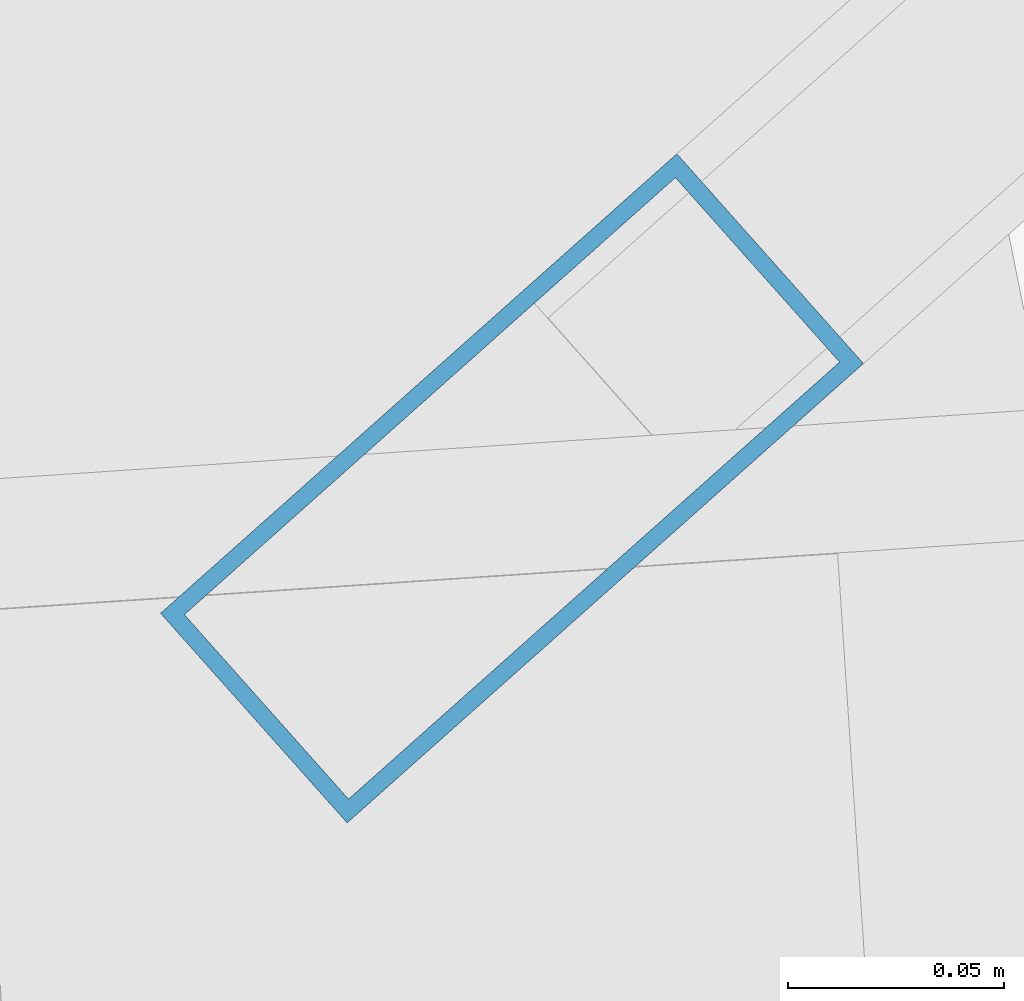
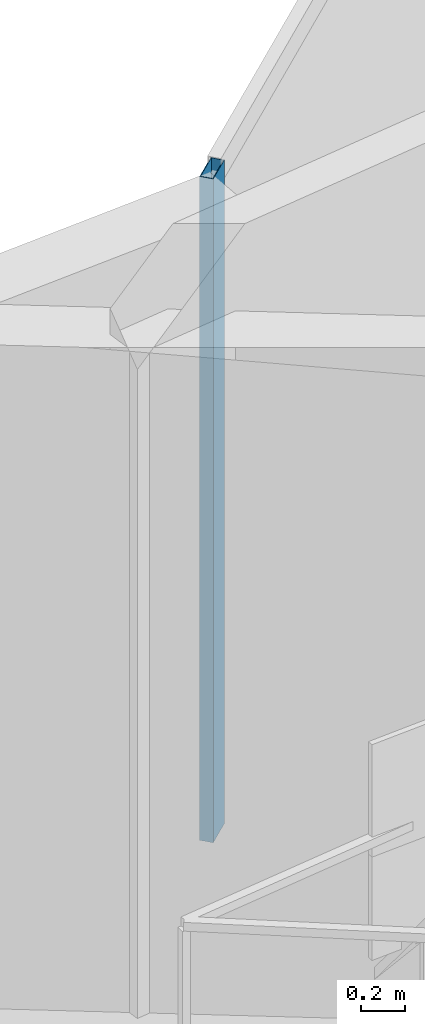
# One storey, part 6 of 22: 1 member, 1 element without a shape of its own.
"""IFC4 building model written with IfcOpenShell, lengths in metres."""

from ifc_helpers import new_model, si_unit, direction, frame, origin, origin_2d, place, context, subcontext, project, spatial, hollow_rectangle, extrude, source, transform, mapped, material, material_profile, profile_set, type_object, element, aggregate, save


model = new_model("IFC4")

# Units and contexts
model_context = context("Model", 3, precision=1e-05, world=origin(), true_north=direction((0.0, 1.0)))
body_context = subcontext(model_context, "Body", "Model", "MODEL_VIEW")
ifc_project = project(units=[si_unit("LENGTHUNIT", "METRE"), si_unit("AREAUNIT", "SQUARE_METRE"), si_unit("VOLUMEUNIT", "CUBIC_METRE"), si_unit("PLANEANGLEUNIT", "RADIAN"), si_unit("MASSUNIT", "GRAM", prefix="KILO")], contexts=[model_context])

# Site, building, storey
site_placement = place(None, origin())
site = spatial("IfcSite", under=ifc_project, at=site_placement, CompositionType="ELEMENT")
building_placement = place(site_placement, origin())
building = spatial("IfcBuilding", under=site, at=building_placement, Name="Olszyna Solenne Hotel", CompositionType="ELEMENT")
storey_placement = place(building_placement, frame((0.0, 0.0, 286.10009765625)))
storey = spatial("IfcBuildingStorey", under=building, at=storey_placement, Name="L76", CompositionType="ELEMENT", Elevation=286.10009765625)

# Curtain wall, member
ifc_material = material(Name="Anodised bronze aluminium", Category="aluminium")
curtain_wall_type = type_object("IfcCurtainWallType", Name="CW-SYS-7", PredefinedType="NOTDEFINED", material=ifc_material)
curtain_wall_placement = place(storey_placement, origin())
curtain_wall = element("IfcCurtainWall", 1, at=curtain_wall_placement, inside=storey, type_object=curtain_wall_type, Name="Unitised curtain wall CW-SYS-7 CW-L76-02", PredefinedType="NOTDEFINED")
ifc_material_profile = material_profile(ifc_material, hollow_rectangle(XDim=0.06494140625, YDim=0.159912109375, WallThickness=0.00390625, at=origin_2d()), Name="MULL 160x65x4", Category="load-bearing")
ifc_profile_set = profile_set([ifc_material_profile], Name="Anodised bronze aluminium")
member_type = type_object("IfcMemberType", Name="CW-M3", PredefinedType="MULLION", material=ifc_profile_set)
shared_shape = source(origin(), body_context, "Body", "SweptSolid", [
    extrude(hollow_rectangle(XDim=0.06494140625, YDim=0.159912109375, WallThickness=0.00390625, at=origin_2d()), origin(), (0.0, 0.0, 1.0), 3.661865234375),
])
member_placement = place(storey_placement, frame((16.393310546875, 24.462890625, 0.0), z_axis=(0.0, 0.0, 1.0), x_axis=(-0.6648066098, 0.747015509589, 0.0)))
member = element("IfcMember", 2, at=member_placement, type_object=member_type, Name="Curtain-wall mullion CW-M3 CM-L76-02-01", PredefinedType="MULLION", context=body_context, shape_type="MappedRepresentation", body=[
    mapped(shared_shape, transform((0.0, 0.0, 0.0), x_axis=(1.0, 0.0, 0.0), y_axis=(0.0, 1.0, 0.0), z_axis=(0.0, 0.0, 1.0), scale=1.0)),
])
aggregate(curtain_wall, [member])

save(model, "model.ifc")
